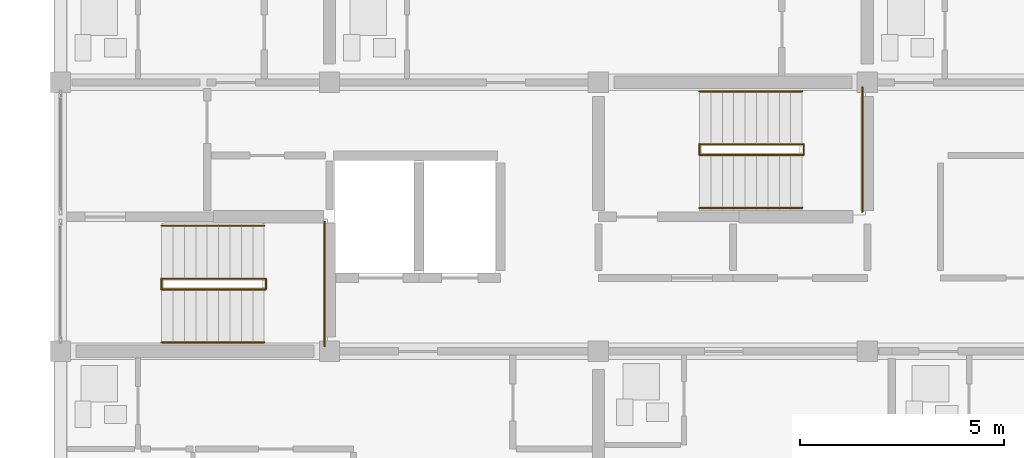
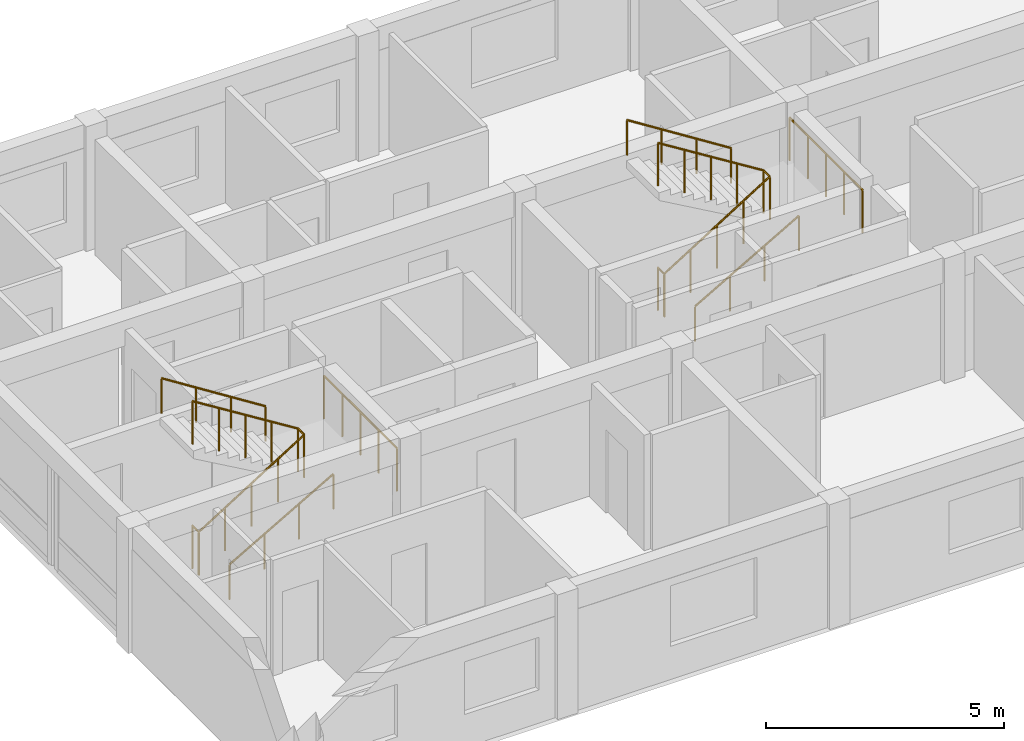
# One storey, part 43 of 45: 10 railings.
"""IFC4 building model written with IfcOpenShell, lengths in metres."""

from ifc_helpers import new_model, si_unit, direction, frame, origin, origin_2d, place, context, subcontext, project, spatial, circle, extrude, material, type_object, element, save


model = new_model("IFC4")

# Units and contexts
model_context = context("Model", 3, precision=1e-05, world=origin(), true_north=direction((0.0, 1.0)))
body_context = subcontext(model_context, "Body", "Model", "MODEL_VIEW")
ifc_project = project(units=[si_unit("LENGTHUNIT", "METRE"), si_unit("AREAUNIT", "SQUARE_METRE"), si_unit("VOLUMEUNIT", "CUBIC_METRE"), si_unit("PLANEANGLEUNIT", "RADIAN"), si_unit("MASSUNIT", "GRAM", prefix="KILO")], contexts=[model_context])

# Site, building, storey
site_placement = place(None, origin())
site = spatial("IfcSite", under=ifc_project, at=site_placement, CompositionType="ELEMENT")
building_placement = place(site_placement, origin())
building = spatial("IfcBuilding", under=site, at=building_placement, Name="Kernevlak Ridge Housing Community", CompositionType="ELEMENT")
storey_placement = place(building_placement, frame((0.0, 0.0, 21.199951171875)))
storey = spatial("IfcBuildingStorey", under=building, at=storey_placement, Name="L06", CompositionType="ELEMENT", Elevation=21.199951171875)

# Railings
ifc_material_1 = material(Name="Steel S355", Category="steel")
railing_type_1 = type_object("IfcRailingType", Name="GR-02", PredefinedType="GUARDRAIL", material=ifc_material_1)
railing_1_placement = place(storey_placement, frame((121.8798828125, 90.7099609375, 0.0)))
element("IfcRailing", 1, at=railing_1_placement, inside=storey, type_object=railing_type_1, Name="Stair ST-B1 L06 well slot guard", PredefinedType="GUARDRAIL", context=body_context, shape_type="SweptSolid", body=[
    extrude(circle(Radius=0.02392578125, at=origin_2d()), frame((0.0, 0.0, 1.09619140625), z_axis=(0.0, 1.0, 0.0), x_axis=(-1.0, 0.0, 0.0)), (0.0, 0.0, 1.0), 0.280029296875),
    extrude(circle(Radius=0.02099609375, at=origin_2d()), origin(), (0.0, 0.0, 1.0), 1.072021484375),
    extrude(circle(Radius=0.02099609375, at=origin_2d()), frame((0.0, 0.280029296875, 0.0)), (0.0, 0.0, 1.0), 1.072021484375),
])
railing_2_placement = place(storey_placement, frame((121.8798828125, 90.719970703125, 0.0)))
element("IfcRailing", 2, at=railing_2_placement, inside=storey, type_object=railing_type_1, Name="Stair ST-B1 L06 inner well guardrail", PredefinedType="GUARDRAIL", context=body_context, shape_type="SweptSolid", body=[
    extrude(circle(Radius=0.02392578125, at=origin_2d()), frame((0.0, 0.0, 1.09619140625), z_axis=(0.847989217509, 0.0, 0.530013478119), x_axis=(0.0, 1.0, 0.0)), (0.0, 0.0, 1.0), 3.01904296875),
    extrude(circle(Radius=0.02392578125, at=origin_2d()), frame((2.56005859375, 0.0, 2.6962890625), z_axis=(0.0, 1.0, 0.0), x_axis=(-1.0, 0.0, 0.0)), (0.0, 0.0, 1.0), 0.260009765625),
    extrude(circle(Radius=0.02392578125, at=origin_2d()), frame((2.56005859375, 0.260009765625, 2.6962890625), z_axis=(-0.848025563165, 0.0, 0.529955322851), x_axis=(0.0, -1.0, 0.0)), (0.0, 0.0, 1.0), 3.018798828125),
    extrude(circle(Radius=0.02099609375, at=origin_2d()), origin(), (0.0, 0.0, 1.0), 1.072021484375),
    extrude(circle(Radius=0.02099609375, at=origin_2d()), frame((0.64013671875, 0.0, 0.39990234375)), (0.0, 0.0, 1.0), 1.072021484375),
    extrude(circle(Radius=0.02099609375, at=origin_2d()), frame((1.280029296875, 0.0, 0.800048828125)), (0.0, 0.0, 1.0), 1.072021484375),
    extrude(circle(Radius=0.02099609375, at=origin_2d()), frame((1.919921875, 0.0, 1.2001953125)), (0.0, 0.0, 1.0), 1.072021484375),
    extrude(circle(Radius=0.02099609375, at=origin_2d()), frame((2.56005859375, 0.0, 1.60009765625)), (0.0, 0.0, 1.0), 1.072021484375),
    extrude(circle(Radius=0.02099609375, at=origin_2d()), frame((2.56005859375, 0.260009765625, 1.60009765625)), (0.0, 0.0, 1.0), 1.072021484375),
    extrude(circle(Radius=0.02099609375, at=origin_2d()), frame((1.919921875, 0.260009765625, 2.0)), (0.0, 0.0, 1.0), 1.072021484375),
    extrude(circle(Radius=0.02099609375, at=origin_2d()), frame((1.280029296875, 0.260009765625, 2.39990234375)), (0.0, 0.0, 1.0), 1.072021484375),
    extrude(circle(Radius=0.02099609375, at=origin_2d()), frame((0.64013671875, 0.260009765625, 2.800048828125)), (0.0, 0.0, 1.0), 1.072021484375),
    extrude(circle(Radius=0.02099609375, at=origin_2d()), frame((0.0, 0.260009765625, 3.199951171875)), (0.0, 0.0, 1.0), 1.072021484375),
])
railing_3_placement = place(storey_placement, frame((125.8798828125, 89.320068359375, 1.60009765625)))
element("IfcRailing", 3, at=railing_3_placement, inside=storey, type_object=railing_type_1, Name="Stair ST-B1 L06 half-landing guard", PredefinedType="GUARDRAIL", context=body_context, shape_type="SweptSolid", body=[
    extrude(circle(Radius=0.02392578125, at=origin_2d()), frame((0.0, 0.0, 1.09619140625), z_axis=(0.0, 1.0, 0.0), x_axis=(-1.0, 0.0, 0.0)), (0.0, 0.0, 1.0), 3.059814453125),
    extrude(circle(Radius=0.02099609375, at=origin_2d()), origin(), (0.0, 0.0, 1.0), 1.072021484375),
    extrude(circle(Radius=0.02099609375, at=origin_2d()), frame((0.0, 0.764892578125, 0.0)), (0.0, 0.0, 1.0), 1.072021484375),
    extrude(circle(Radius=0.02099609375, at=origin_2d()), frame((0.0, 1.52978515625, 0.0)), (0.0, 0.0, 1.0), 1.072021484375),
    extrude(circle(Radius=0.02099609375, at=origin_2d()), frame((0.0, 2.294921875, 0.0)), (0.0, 0.0, 1.0), 1.072021484375),
    extrude(circle(Radius=0.02099609375, at=origin_2d()), frame((0.0, 3.059814453125, 0.0)), (0.0, 0.0, 1.0), 1.072021484375),
])
railing_4_placement = place(storey_placement, frame((135.080078125, 94.010009765625, 0.0)))
element("IfcRailing", 4, at=railing_4_placement, inside=storey, type_object=railing_type_1, Name="Stair ST-B2 L06 well slot guard", PredefinedType="GUARDRAIL", context=body_context, shape_type="SweptSolid", body=[
    extrude(circle(Radius=0.02392578125, at=origin_2d()), frame((0.0, 0.0, 1.09619140625), z_axis=(0.0, 1.0, 0.0), x_axis=(-1.0, 0.0, 0.0)), (0.0, 0.0, 1.0), 0.280029296875),
    extrude(circle(Radius=0.02099609375, at=origin_2d()), origin(), (0.0, 0.0, 1.0), 1.072021484375),
    extrude(circle(Radius=0.02099609375, at=origin_2d()), frame((0.0, 0.280029296875, 0.0)), (0.0, 0.0, 1.0), 1.072021484375),
])
railing_5_placement = place(storey_placement, frame((135.080078125, 94.02001953125, 0.0)))
element("IfcRailing", 5, at=railing_5_placement, inside=storey, type_object=railing_type_1, Name="Stair ST-B2 L06 inner well guardrail", PredefinedType="GUARDRAIL", context=body_context, shape_type="SweptSolid", body=[
    extrude(circle(Radius=0.02392578125, at=origin_2d()), frame((0.0, 0.0, 1.09619140625), z_axis=(0.847966497998, 0.0, 0.530049826217), x_axis=(0.0, 1.0, 0.0)), (0.0, 0.0, 1.0), 3.018798828125),
    extrude(circle(Radius=0.02392578125, at=origin_2d()), frame((2.559814453125, 0.0, 2.6962890625), z_axis=(0.0, 1.0, 0.0), x_axis=(-1.0, 0.0, 0.0)), (0.0, 0.0, 1.0), 0.260009765625),
    extrude(circle(Radius=0.02392578125, at=origin_2d()), frame((2.559814453125, 0.260009765625, 2.6962890625), z_axis=(-0.848002847666, 0.0, 0.529991670077), x_axis=(0.0, -1.0, 0.0)), (0.0, 0.0, 1.0), 3.0185546875),
    extrude(circle(Radius=0.02099609375, at=origin_2d()), origin(), (0.0, 0.0, 1.0), 1.072021484375),
    extrude(circle(Radius=0.02099609375, at=origin_2d()), frame((0.639892578125, 0.0, 0.39990234375)), (0.0, 0.0, 1.0), 1.072021484375),
    extrude(circle(Radius=0.02099609375, at=origin_2d()), frame((1.27978515625, 0.0, 0.800048828125)), (0.0, 0.0, 1.0), 1.072021484375),
    extrude(circle(Radius=0.02099609375, at=origin_2d()), frame((1.919921875, 0.0, 1.2001953125)), (0.0, 0.0, 1.0), 1.072021484375),
    extrude(circle(Radius=0.02099609375, at=origin_2d()), frame((2.559814453125, 0.0, 1.60009765625)), (0.0, 0.0, 1.0), 1.072021484375),
    extrude(circle(Radius=0.02099609375, at=origin_2d()), frame((2.559814453125, 0.260009765625, 1.60009765625)), (0.0, 0.0, 1.0), 1.072021484375),
    extrude(circle(Radius=0.02099609375, at=origin_2d()), frame((1.919921875, 0.260009765625, 2.0)), (0.0, 0.0, 1.0), 1.072021484375),
    extrude(circle(Radius=0.02099609375, at=origin_2d()), frame((1.27978515625, 0.260009765625, 2.39990234375)), (0.0, 0.0, 1.0), 1.072021484375),
    extrude(circle(Radius=0.02099609375, at=origin_2d()), frame((0.639892578125, 0.260009765625, 2.800048828125)), (0.0, 0.0, 1.0), 1.072021484375),
    extrude(circle(Radius=0.02099609375, at=origin_2d()), frame((0.0, 0.260009765625, 3.199951171875)), (0.0, 0.0, 1.0), 1.072021484375),
])
railing_6_placement = place(storey_placement, frame((139.080078125, 92.6201171875, 1.60009765625)))
element("IfcRailing", 6, at=railing_6_placement, inside=storey, type_object=railing_type_1, Name="Stair ST-B2 L06 half-landing guard", PredefinedType="GUARDRAIL", context=body_context, shape_type="SweptSolid", body=[
    extrude(circle(Radius=0.02392578125, at=origin_2d()), frame((0.0, 0.0, 1.09619140625), z_axis=(0.0, 1.0, 0.0), x_axis=(-1.0, 0.0, 0.0)), (0.0, 0.0, 1.0), 3.059814453125),
    extrude(circle(Radius=0.02099609375, at=origin_2d()), origin(), (0.0, 0.0, 1.0), 1.072021484375),
    extrude(circle(Radius=0.02099609375, at=origin_2d()), frame((0.0, 0.764892578125, 0.0)), (0.0, 0.0, 1.0), 1.072021484375),
    extrude(circle(Radius=0.02099609375, at=origin_2d()), frame((0.0, 1.52978515625, 0.0)), (0.0, 0.0, 1.0), 1.072021484375),
    extrude(circle(Radius=0.02099609375, at=origin_2d()), frame((0.0, 2.294921875, 0.0)), (0.0, 0.0, 1.0), 1.072021484375),
    extrude(circle(Radius=0.02099609375, at=origin_2d()), frame((0.0, 3.059814453125, 0.0)), (0.0, 0.0, 1.0), 1.072021484375),
])
ifc_material_2 = material(Name="Stainless steel EN 1.4401", Category="steel")
railing_type_2 = type_object("IfcRailingType", Name="HR-01", PredefinedType="HANDRAIL", material=ifc_material_2)
railing_7_placement = place(storey_placement, frame((121.8798828125, 89.419921875, 0.16015625)))
element("IfcRailing", 7, at=railing_7_placement, inside=storey, type_object=railing_type_2, Name="Stair ST-B1 L06 flight 1 handrail", PredefinedType="HANDRAIL", context=body_context, shape_type="SweptSolid", body=[
    extrude(circle(Radius=0.02392578125, at=origin_2d()), frame((0.0, 0.0, 0.89599609375), z_axis=(0.868253494771, 0.0, 0.496120820787), x_axis=(0.0, 1.0, 0.0)), (0.0, 0.0, 1.0), 2.90234375),
    extrude(circle(Radius=0.02099609375, at=origin_2d()), origin(), (0.0, 0.0, 1.0), 0.871826171875),
    extrude(circle(Radius=0.02099609375, at=origin_2d()), frame((0.840087890625, 0.0, 0.47998046875)), (0.0, 0.0, 1.0), 0.871826171875),
    extrude(circle(Radius=0.02099609375, at=origin_2d()), frame((1.679931640625, 0.0, 0.9599609375)), (0.0, 0.0, 1.0), 0.871826171875),
    extrude(circle(Radius=0.02099609375, at=origin_2d()), frame((2.52001953125, 0.0, 1.43994140625)), (0.0, 0.0, 1.0), 0.871826171875),
])
railing_8_placement = place(storey_placement, frame((124.39990234375, 92.280029296875, 1.60009765625)))
element("IfcRailing", 8, at=railing_8_placement, inside=storey, type_object=railing_type_2, Name="Stair ST-B1 L06 flight 2 handrail", PredefinedType="HANDRAIL", context=body_context, shape_type="SweptSolid", body=[
    extrude(circle(Radius=0.02392578125, at=origin_2d()), frame((0.0, 0.0, 0.89599609375), z_axis=(-0.84423690053, 0.0, 0.535970200462), x_axis=(0.0, -1.0, 0.0)), (0.0, 0.0, 1.0), 2.98486328125),
    extrude(circle(Radius=0.02099609375, at=origin_2d()), origin(), (0.0, 0.0, 1.0), 0.871826171875),
    extrude(circle(Radius=0.02099609375, at=origin_2d()), frame((-0.840087890625, 0.0, 0.533203125)), (0.0, 0.0, 1.0), 0.871826171875),
    extrude(circle(Radius=0.02099609375, at=origin_2d()), frame((-1.679931640625, 0.0, 1.066650390625)), (0.0, 0.0, 1.0), 0.871826171875),
    extrude(circle(Radius=0.02099609375, at=origin_2d()), frame((-2.52001953125, 0.0, 1.599853515625)), (0.0, 0.0, 1.0), 0.871826171875),
])
railing_9_placement = place(storey_placement, frame((135.080078125, 92.719970703125, 0.16015625)))
element("IfcRailing", 9, at=railing_9_placement, inside=storey, type_object=railing_type_2, Name="Stair ST-B2 L06 flight 1 handrail", PredefinedType="HANDRAIL", context=body_context, shape_type="SweptSolid", body=[
    extrude(circle(Radius=0.02392578125, at=origin_2d()), frame((0.0, 0.0, 0.89599609375), z_axis=(0.868253494771, 0.0, 0.496120820787), x_axis=(0.0, 1.0, 0.0)), (0.0, 0.0, 1.0), 2.90234375),
    extrude(circle(Radius=0.02099609375, at=origin_2d()), origin(), (0.0, 0.0, 1.0), 0.871826171875),
    extrude(circle(Radius=0.02099609375, at=origin_2d()), frame((0.840087890625, 0.0, 0.47998046875)), (0.0, 0.0, 1.0), 0.871826171875),
    extrude(circle(Radius=0.02099609375, at=origin_2d()), frame((1.679931640625, 0.0, 0.9599609375)), (0.0, 0.0, 1.0), 0.871826171875),
    extrude(circle(Radius=0.02099609375, at=origin_2d()), frame((2.52001953125, 0.0, 1.43994140625)), (0.0, 0.0, 1.0), 0.871826171875),
])
railing_10_placement = place(storey_placement, frame((137.60009765625, 95.580078125, 1.60009765625)))
element("IfcRailing", 10, at=railing_10_placement, inside=storey, type_object=railing_type_2, Name="Stair ST-B2 L06 flight 2 handrail", PredefinedType="HANDRAIL", context=body_context, shape_type="SweptSolid", body=[
    extrude(circle(Radius=0.02392578125, at=origin_2d()), frame((0.0, 0.0, 0.89599609375), z_axis=(-0.84423690053, 0.0, 0.535970200462), x_axis=(0.0, -1.0, 0.0)), (0.0, 0.0, 1.0), 2.98486328125),
    extrude(circle(Radius=0.02099609375, at=origin_2d()), origin(), (0.0, 0.0, 1.0), 0.871826171875),
    extrude(circle(Radius=0.02099609375, at=origin_2d()), frame((-0.840087890625, 0.0, 0.533203125)), (0.0, 0.0, 1.0), 0.871826171875),
    extrude(circle(Radius=0.02099609375, at=origin_2d()), frame((-1.679931640625, 0.0, 1.066650390625)), (0.0, 0.0, 1.0), 0.871826171875),
    extrude(circle(Radius=0.02099609375, at=origin_2d()), frame((-2.52001953125, 0.0, 1.599853515625)), (0.0, 0.0, 1.0), 0.871826171875),
])

save(model, "model.ifc")
